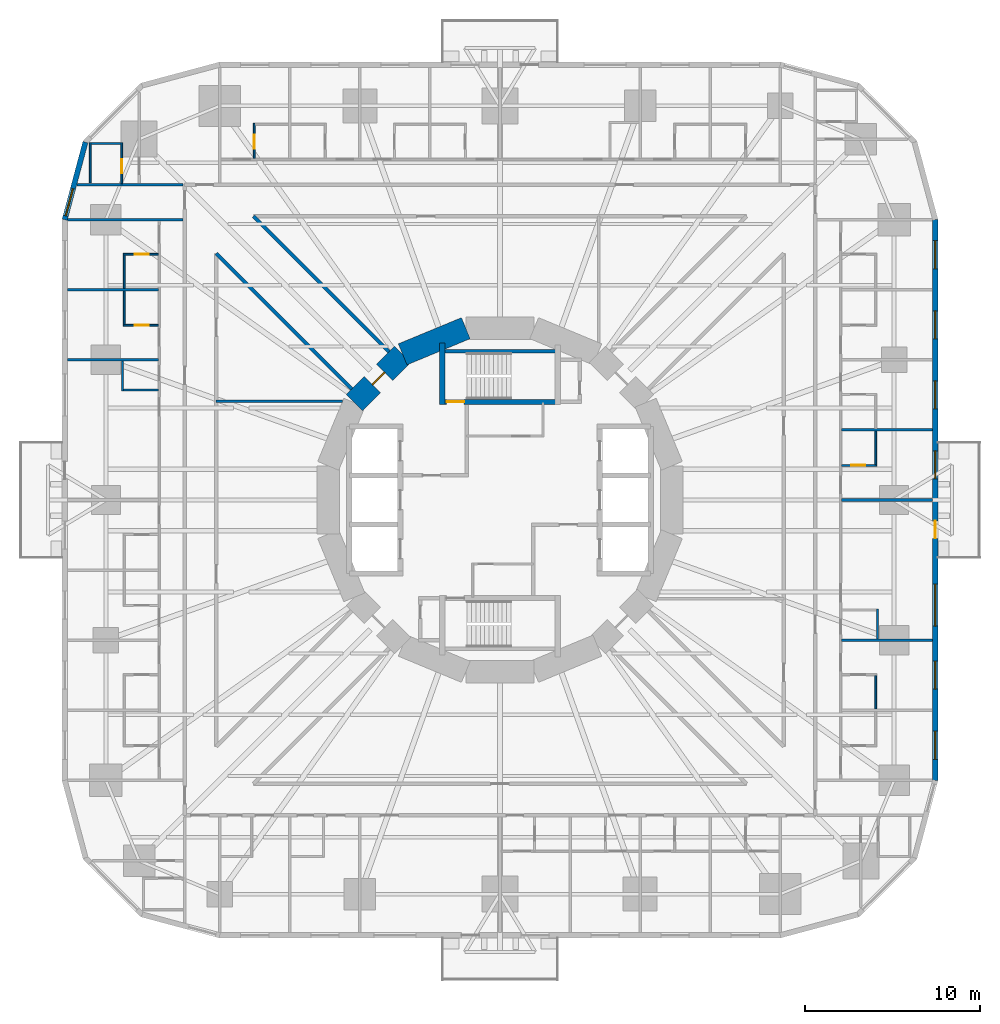
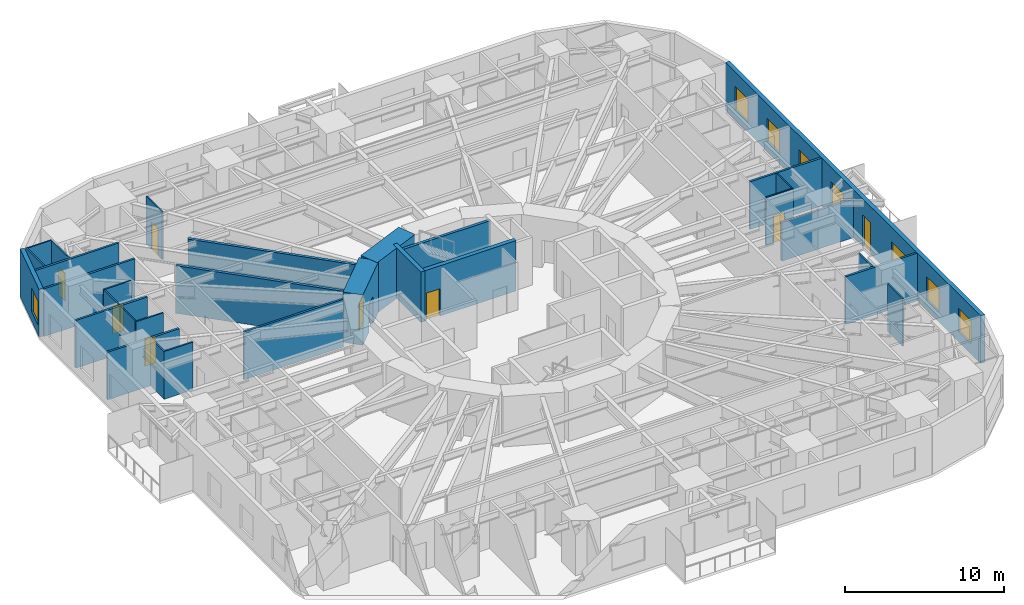
# One storey, part 9 of 14: 31 walls, 8 doors, 8 windows, 16 openings.
"""IFC4 building model written with IfcOpenShell, lengths in metres."""

from ifc_helpers import new_model, si_unit, direction, frame, frame_2d, origin, place, context, subcontext, project, spatial, rectangle, extrude, material, layer, layer_set, type_object, element, fill, save


model = new_model("IFC4")

# Units and contexts
model_context = context("Model", 3, precision=1e-05, world=origin(), true_north=direction((0.0, 1.0)))
body_context = subcontext(model_context, "Body", "Model", "MODEL_VIEW")
ifc_project = project(units=[si_unit("LENGTHUNIT", "METRE"), si_unit("AREAUNIT", "SQUARE_METRE"), si_unit("VOLUMEUNIT", "CUBIC_METRE"), si_unit("PLANEANGLEUNIT", "RADIAN"), si_unit("MASSUNIT", "GRAM", prefix="KILO")], contexts=[model_context])

# Site, building, storey
site_placement = place(None, origin())
site = spatial("IfcSite", under=ifc_project, at=site_placement, CompositionType="ELEMENT")
building_placement = place(site_placement, origin())
building = spatial("IfcBuilding", under=site, at=building_placement, Name="Nakasero Lantern House", CompositionType="ELEMENT")
storey_placement = place(building_placement, frame((0.0, 0.0, 31.39990234375)))
storey = spatial("IfcBuildingStorey", under=building, at=storey_placement, Name="L07", CompositionType="ELEMENT", Elevation=31.39990234375)

# Wall, opening, door
ifc_material_1 = material(Name="Concrete C50/60", Category="concrete")
ifc_layer_1 = layer(ifc_material_1, 0.300048828125)
ifc_layer_set_1 = layer_set([ifc_layer_1], Name="Core inner wall 300")
wall_type_1 = type_object("IfcWallType", Name="Core inner wall 300", PredefinedType="SHEAR", material=ifc_layer_set_1)
wall_1_placement = place(storey_placement, frame((-3.449951171875, 5.60009765625, 0.0), z_axis=(0.0, 0.0, 1.0), x_axis=(1.0, 0.0, 0.0)))
wall_1 = element("IfcWall", 1, at=wall_1_placement, inside=storey, type_object=wall_type_1, Name="Core inner wall L07 SN", PredefinedType="SHEAR", context=body_context, shape_type="SweptSolid", body=[
    extrude(rectangle(XDim=6.89990234375, YDim=0.300048828125, at=frame_2d((3.449951171875, 0.0))), origin(), (0.0, 0.0, 1.0), 3.85009765625),
])
opening_1_placement = place(wall_1_placement, frame((0.39990234375, 0.0, 0.0)))
opening_1 = element("IfcOpeningElement", 2, at=opening_1_placement, cuts=wall_1, Name="Opening D05", PredefinedType="OPENING", context=body_context, shape_type="SweptSolid", body=[
    extrude(rectangle(XDim=1.0, YDim=2.10009765625, at=frame_2d((0.5, 1.050048828125))), frame((0.0, 0.169921875, 0.0), z_axis=(0.0, -1.0, 0.0), x_axis=(1.0, 0.0, 0.0)), (0.0, 0.0, 1.0), 0.340087890625),
])
ifc_material_2 = material(Name="Timber C24", Category="wood")
door_type_1 = type_object("IfcDoorType", Name="Core door FD60S 1000", OperationType="SINGLE_SWING_LEFT", PredefinedType="DOOR", material=ifc_material_2)
door_1_placement = place(opening_1_placement, origin())
door_1 = element("IfcDoor", 3, at=door_1_placement, inside=storey, type_object=door_type_1, Name="Door L07 D-ST1", OperationType="SINGLE_SWING_LEFT", OverallHeight=2.10009765625, OverallWidth=1.0, PredefinedType="DOOR", context=body_context, shape_type="SweptSolid", body=[
    extrude(rectangle(XDim=1.0, YDim=2.10009765625, at=frame_2d((0.5, 1.050048828125))), frame((0.0, 0.02490234375, 0.0), z_axis=(0.0, -1.0, 0.0), x_axis=(1.0, 0.0, 0.0)), (0.0, 0.0, 1.0), 0.050048828125),
])
fill(opening_1, door_1)

# Walls
wall_2_placement = place(storey_placement, frame((-3.300048828125, 5.449951171875, 0.0), z_axis=(0.0, 0.0, 1.0), x_axis=(0.0, 1.0, 0.0)))
element("IfcWall", 4, at=wall_2_placement, inside=storey, type_object=wall_type_1, Name="Core inner wall L07 SNW", PredefinedType="SHEAR", context=body_context, shape_type="SweptSolid", body=[
    extrude(rectangle(XDim=3.5, YDim=0.300048828125, at=frame_2d((1.75, 0.0))), origin(), (0.0, 0.0, 1.0), 3.85009765625),
])
ifc_material_3 = material(Name="Concrete C50/60", Category="concrete")
ifc_layer_2 = layer(ifc_material_3, 1.300048828125)
ifc_layer_set_2 = layer_set([ifc_layer_2], Name="Core wall 1300")
wall_type_2 = type_object("IfcWallType", Name="Core wall 1300", PredefinedType="SHEAR", material=ifc_layer_set_2)
wall_3_placement = place(storey_placement, frame((-1.950927734375, 9.807861328125, 0.0), z_axis=(0.0, 0.0, 1.0), x_axis=(-0.923876507187, -0.382690736062, 0.0)))
element("IfcWall", 5, at=wall_3_placement, inside=storey, type_object=wall_type_2, Name="Core wall L07 facet 5", PredefinedType="SHEAR", context=body_context, shape_type="SweptSolid", body=[
    extrude(rectangle(XDim=3.90185546875, YDim=1.300048828125, at=frame_2d((1.950927734375, 0.0))), origin(), (0.0, 0.0, 1.0), 3.85009765625),
])

# Wall, opening, door
wall_4_placement = place(storey_placement, frame((-5.5556640625, 8.314697265625, 0.0), z_axis=(0.0, 0.0, 1.0), x_axis=(-0.707106781187, -0.707106781187, 0.0)))
wall_4 = element("IfcWall", 6, at=wall_4_placement, inside=storey, type_object=wall_type_2, Name="Core wall L07 facet 6", PredefinedType="SHEAR", context=body_context, shape_type="SweptSolid", body=[
    extrude(rectangle(XDim=3.90185546875, YDim=1.300048828125, at=frame_2d((1.950927734375, 0.0))), origin(), (0.0, 0.0, 1.0), 3.85009765625),
])
opening_2_placement = place(wall_4_placement, frame((1.450927734375, 0.0, 0.0)))
opening_2 = element("IfcOpeningElement", 7, at=opening_2_placement, cuts=wall_4, Name="Opening D05", PredefinedType="OPENING", context=body_context, shape_type="SweptSolid", body=[
    extrude(rectangle(XDim=1.0, YDim=2.10009765625, at=frame_2d((0.5, 1.050048828125))), frame((0.0, 0.669921875, 0.0), z_axis=(0.0, -1.0, 0.0), x_axis=(1.0, 0.0, 0.0)), (0.0, 0.0, 1.0), 1.340087890625),
])
door_2_placement = place(opening_2_placement, origin())
door_2 = element("IfcDoor", 8, at=door_2_placement, inside=storey, type_object=door_type_1, Name="Door L07 D-CORE06", OperationType="SINGLE_SWING_LEFT", OverallHeight=2.10009765625, OverallWidth=1.0, PredefinedType="DOOR", context=body_context, shape_type="SweptSolid", body=[
    extrude(rectangle(XDim=1.0, YDim=2.10009765625, at=frame_2d((0.5, 1.050048828125))), frame((0.0, 0.02490234375, 0.0), z_axis=(0.0, -1.0, 0.0), x_axis=(1.0, 0.0, 0.0)), (0.0, 0.0, 1.0), 0.050048828125),
])
fill(opening_2, door_2)

# Walls
ifc_material_4 = material(Name="Blockwork", Category="masonry")
ifc_layer_3 = layer(ifc_material_4, 0.199951171875)
ifc_layer_set_3 = layer_set([ifc_layer_3], Name="Corridor wall 200")
wall_type_3 = type_object("IfcWallType", Name="Corridor wall 200", PredefinedType="PARTITIONING", material=ifc_layer_set_3)
for number, where, z_axis, x_axis, name in (
    (9, (-8.45556640625, 6.334228515625, 0.0), (0.0, 0.0, 1.0), (-0.707106781187, 0.707106781187, 0.0), "Corridor wall L07 PS06a"),
    (10, (-6.334228515625, 8.45556640625, 0.0), (0.0, 0.0, 1.0), (-0.707106781187, 0.707106781187, 0.0), "Corridor wall L07 PS06b"),
):
    element("IfcWall", number, at=place(storey_placement, frame(where, z_axis=z_axis, x_axis=x_axis)), inside=storey, type_object=wall_type_3, Name=name, PredefinedType="PARTITIONING", context=body_context, shape_type="SweptSolid", body=[
        extrude(rectangle(XDim=10.9521484375, YDim=0.199951171875, at=frame_2d((5.47607421875, 0.0))), origin(), (0.0, 0.0, 1.0), 3.650146484375),
    ])
ifc_material_5 = material(Name="Blockwork", Category="masonry")
ifc_layer_4 = layer(ifc_material_5, 0.10009765625)
ifc_layer_set_4 = layer_set([ifc_layer_4], Name="En-suite wall 100")
wall_type_4 = type_object("IfcWallType", Name="En-suite wall 100", PredefinedType="PARTITIONING", material=ifc_layer_set_4)
wall_5_placement = place(storey_placement, frame((21.550048828125, -7.925048828125, 0.0), z_axis=(0.0, 0.0, 1.0), x_axis=(0.0, 1.0, 0.0)))
element("IfcWall", 11, at=wall_5_placement, inside=storey, type_object=wall_type_4, Name="En-suite wall L07 SE0-0", PredefinedType="PARTITIONING", context=body_context, shape_type="SweptSolid", body=[
    extrude(rectangle(XDim=1.699951171875, YDim=0.10009765625, at=frame_2d((0.85009765625, 0.0))), origin(), (0.0, 0.0, 1.0), 3.650146484375),
])
wall_6_placement = place(storey_placement, frame((21.449951171875, -11.925048828125, 0.0), z_axis=(0.0, 0.0, 1.0), x_axis=(0.0, 1.0, 0.0)))
element("IfcWall", 12, at=wall_6_placement, inside=storey, type_object=wall_type_4, Name="En-suite wall L07 EE0-02", PredefinedType="PARTITIONING", context=body_context, shape_type="SweptSolid", body=[
    extrude(rectangle(XDim=1.900146484375, YDim=0.10009765625, at=frame_2d((0.9501953125, 0.0))), origin(), (0.0, 0.0, 1.0), 3.650146484375),
])

# Wall, opening, door
wall_7_placement = place(storey_placement, frame((19.5, 1.97509765625, 0.0), z_axis=(0.0, 0.0, 1.0), x_axis=(1.0, 0.0, 0.0)))
wall_7 = element("IfcWall", 13, at=wall_7_placement, inside=storey, type_object=wall_type_4, Name="En-suite wall L07 ES0-05", PredefinedType="PARTITIONING", context=body_context, shape_type="SweptSolid", body=[
    extrude(rectangle(XDim=2.0, YDim=0.10009765625, at=frame_2d((1.0, 0.0))), origin(), (0.0, 0.0, 1.0), 3.650146484375),
])
opening_3_placement = place(wall_7_placement, frame((0.550048828125, 0.0, 0.0)))
opening_3 = element("IfcOpeningElement", 14, at=opening_3_placement, cuts=wall_7, Name="Opening D02", PredefinedType="OPENING", context=body_context, shape_type="SweptSolid", body=[
    extrude(rectangle(XDim=0.800048828125, YDim=2.10009765625, at=frame_2d((0.39990234375, 1.050048828125))), frame((0.0, 0.070068359375, 0.0), z_axis=(0.0, -1.0, 0.0), x_axis=(1.0, 0.0, 0.0)), (0.0, 0.0, 1.0), 0.14013671875),
])
ifc_material_6 = material(Name="Timber C24", Category="wood")
door_type_2 = type_object("IfcDoorType", Name="En-suite door 800", OperationType="SINGLE_SWING_RIGHT", PredefinedType="DOOR", material=ifc_material_6)
door_3_placement = place(opening_3_placement, origin())
door_3 = element("IfcDoor", 15, at=door_3_placement, inside=storey, type_object=door_type_2, Name="Door L07 DE0-05", OperationType="SINGLE_SWING_LEFT", OverallHeight=2.10009765625, OverallWidth=0.800048828125, PredefinedType="DOOR", context=body_context, shape_type="SweptSolid", body=[
    extrude(rectangle(XDim=0.800048828125, YDim=2.10009765625, at=frame_2d((0.39990234375, 1.050048828125))), frame((0.0, 0.02490234375, 0.0), z_axis=(0.0, -1.0, 0.0), x_axis=(1.0, 0.0, 0.0)), (0.0, 0.0, 1.0), 0.050048828125),
])
fill(opening_3, door_3)

# Wall
wall_8_placement = place(storey_placement, frame((21.449951171875, 2.02490234375, 0.0), z_axis=(0.0, 0.0, 1.0), x_axis=(0.0, 1.0, 0.0)))
element("IfcWall", 16, at=wall_8_placement, inside=storey, type_object=wall_type_4, Name="En-suite wall L07 EE0-05", PredefinedType="PARTITIONING", context=body_context, shape_type="SweptSolid", body=[
    extrude(rectangle(XDim=1.900146484375, YDim=0.10009765625, at=frame_2d((0.9501953125, 0.0))), origin(), (0.0, 0.0, 1.0), 3.650146484375),
])

# Wall, opening, door
wall_9_placement = place(storey_placement, frame((-14.02490234375, 19.5, 0.0), z_axis=(0.0, 0.0, 1.0), x_axis=(0.0, 1.0, 0.0)))
wall_9 = element("IfcWall", 17, at=wall_9_placement, inside=storey, type_object=wall_type_4, Name="En-suite wall L07 ES1-08", PredefinedType="PARTITIONING", context=body_context, shape_type="SweptSolid", body=[
    extrude(rectangle(XDim=2.0, YDim=0.10009765625, at=frame_2d((1.0, 0.0))), origin(), (0.0, 0.0, 1.0), 3.650146484375),
])
opening_4_placement = place(wall_9_placement, frame((0.550048828125, 0.0, 0.0)))
opening_4 = element("IfcOpeningElement", 18, at=opening_4_placement, cuts=wall_9, Name="Opening D02", PredefinedType="OPENING", context=body_context, shape_type="SweptSolid", body=[
    extrude(rectangle(XDim=0.800048828125, YDim=2.10009765625, at=frame_2d((0.39990234375, 1.050048828125))), frame((0.0, 0.070068359375, 0.0), z_axis=(0.0, -1.0, 0.0), x_axis=(1.0, 0.0, 0.0)), (0.0, 0.0, 1.0), 0.14013671875),
])
door_4_placement = place(opening_4_placement, origin())
door_4 = element("IfcDoor", 19, at=door_4_placement, inside=storey, type_object=door_type_2, Name="Door L07 DE1-08", OperationType="SINGLE_SWING_LEFT", OverallHeight=2.10009765625, OverallWidth=0.800048828125, PredefinedType="DOOR", context=body_context, shape_type="SweptSolid", body=[
    extrude(rectangle(XDim=0.800048828125, YDim=2.10009765625, at=frame_2d((0.39990234375, 1.050048828125))), frame((0.0, 0.02490234375, 0.0), z_axis=(0.0, -1.0, 0.0), x_axis=(1.0, 0.0, 0.0)), (0.0, 0.0, 1.0), 0.050048828125),
])
fill(opening_4, door_4)

wall_10_placement = place(storey_placement, frame((-21.59619140625, 18.06494140625, 0.0), z_axis=(0.0, 0.0, 1.0), x_axis=(0.0, 1.0, 0.0)))
wall_10 = element("IfcWall", 20, at=wall_10_placement, inside=storey, type_object=wall_type_4, Name="En-suite wall L07 ES1-09", PredefinedType="PARTITIONING", context=body_context, shape_type="SweptSolid", body=[
    extrude(rectangle(XDim=2.3349609375, YDim=0.10009765625, at=frame_2d((1.16748046875, 0.0))), origin(), (0.0, 0.0, 1.0), 3.650146484375),
])
opening_5_placement = place(wall_10_placement, frame((0.5849609375, 0.0, 0.0)))
opening_5 = element("IfcOpeningElement", 21, at=opening_5_placement, cuts=wall_10, Name="Opening D02", PredefinedType="OPENING", context=body_context, shape_type="SweptSolid", body=[
    extrude(rectangle(XDim=0.800048828125, YDim=2.10009765625, at=frame_2d((0.39990234375, 1.050048828125))), frame((0.0, 0.070068359375, 0.0), z_axis=(0.0, -1.0, 0.0), x_axis=(1.0, 0.0, 0.0)), (0.0, 0.0, 1.0), 0.14013671875),
])
door_5_placement = place(opening_5_placement, origin())
door_5 = element("IfcDoor", 22, at=door_5_placement, inside=storey, type_object=door_type_2, Name="Door L07 DE1-09", OperationType="SINGLE_SWING_LEFT", OverallHeight=2.10009765625, OverallWidth=0.800048828125, PredefinedType="DOOR", context=body_context, shape_type="SweptSolid", body=[
    extrude(rectangle(XDim=0.800048828125, YDim=2.10009765625, at=frame_2d((0.39990234375, 1.050048828125))), frame((0.0, 0.02490234375, 0.0), z_axis=(0.0, -1.0, 0.0), x_axis=(1.0, 0.0, 0.0)), (0.0, 0.0, 1.0), 0.050048828125),
])
fill(opening_5, door_5)

# Walls
wall_11_placement = place(storey_placement, frame((-21.646240234375, 20.35009765625, 0.0), z_axis=(0.0, 0.0, 1.0), x_axis=(-1.0, 0.0, 0.0)))
element("IfcWall", 23, at=wall_11_placement, inside=storey, type_object=wall_type_4, Name="En-suite wall L07 EE1-09", PredefinedType="PARTITIONING", context=body_context, shape_type="SweptSolid", body=[
    extrude(rectangle(XDim=1.699951171875, YDim=0.10009765625, at=frame_2d((0.85009765625, 0.0))), origin(), (0.0, 0.0, 1.0), 3.650146484375),
])
wall_12_placement = place(storey_placement, frame((-23.396240234375, 18.10009765625, 0.0), z_axis=(0.0, 0.0, 1.0), x_axis=(0.0, 1.0, 0.0)))
element("IfcWall", 24, at=wall_12_placement, inside=storey, type_object=wall_type_4, Name="En-suite wall L07 EV1-09", PredefinedType="PARTITIONING", context=body_context, shape_type="SweptSolid", body=[
    extrude(rectangle(XDim=2.2998046875, YDim=0.10009765625, at=frame_2d((1.14990234375, 0.0))), origin(), (0.0, 0.0, 1.0), 3.650146484375),
])
wall_13_placement = place(storey_placement, frame((-19.5, 6.27490234375, 0.0), z_axis=(0.0, 0.0, 1.0), x_axis=(-1.0, 0.0, 0.0)))
element("IfcWall", 25, at=wall_13_placement, inside=storey, type_object=wall_type_4, Name="En-suite wall L07 SS2-0", PredefinedType="PARTITIONING", context=body_context, shape_type="SweptSolid", body=[
    extrude(rectangle(XDim=2.10009765625, YDim=0.10009765625, at=frame_2d((1.050048828125, 0.0))), origin(), (0.0, 0.0, 1.0), 3.650146484375),
])
wall_14_placement = place(storey_placement, frame((-21.550048828125, 7.925048828125, 0.0), z_axis=(0.0, 0.0, 1.0), x_axis=(0.0, -1.0, 0.0)))
element("IfcWall", 26, at=wall_14_placement, inside=storey, type_object=wall_type_4, Name="En-suite wall L07 SE2-0", PredefinedType="PARTITIONING", context=body_context, shape_type="SweptSolid", body=[
    extrude(rectangle(XDim=1.699951171875, YDim=0.10009765625, at=frame_2d((0.85009765625, 0.0))), origin(), (0.0, 0.0, 1.0), 3.650146484375),
])

# Wall, opening, door
wall_15_placement = place(storey_placement, frame((-19.5, 14.02490234375, 0.0), z_axis=(0.0, 0.0, 1.0), x_axis=(-1.0, 0.0, 0.0)))
wall_15 = element("IfcWall", 27, at=wall_15_placement, inside=storey, type_object=wall_type_4, Name="En-suite wall L07 ES2-01", PredefinedType="PARTITIONING", context=body_context, shape_type="SweptSolid", body=[
    extrude(rectangle(XDim=2.0, YDim=0.10009765625, at=frame_2d((1.0, 0.0))), origin(), (0.0, 0.0, 1.0), 3.650146484375),
])
opening_6_placement = place(wall_15_placement, frame((0.550048828125, 0.0, 0.0)))
opening_6 = element("IfcOpeningElement", 28, at=opening_6_placement, cuts=wall_15, Name="Opening D02", PredefinedType="OPENING", context=body_context, shape_type="SweptSolid", body=[
    extrude(rectangle(XDim=0.800048828125, YDim=2.10009765625, at=frame_2d((0.39990234375, 1.050048828125))), frame((0.0, 0.070068359375, 0.0), z_axis=(0.0, -1.0, 0.0), x_axis=(1.0, 0.0, 0.0)), (0.0, 0.0, 1.0), 0.14013671875),
])
door_6_placement = place(opening_6_placement, origin())
door_6 = element("IfcDoor", 29, at=door_6_placement, inside=storey, type_object=door_type_2, Name="Door L07 DE2-01", OperationType="SINGLE_SWING_LEFT", OverallHeight=2.10009765625, OverallWidth=0.800048828125, PredefinedType="DOOR", context=body_context, shape_type="SweptSolid", body=[
    extrude(rectangle(XDim=0.800048828125, YDim=2.10009765625, at=frame_2d((0.39990234375, 1.050048828125))), frame((0.0, 0.02490234375, 0.0), z_axis=(0.0, -1.0, 0.0), x_axis=(1.0, 0.0, 0.0)), (0.0, 0.0, 1.0), 0.050048828125),
])
fill(opening_6, door_6)

# Wall
wall_16_placement = place(storey_placement, frame((-21.449951171875, 13.97509765625, 0.0), z_axis=(0.0, 0.0, 1.0), x_axis=(0.0, -1.0, 0.0)))
element("IfcWall", 30, at=wall_16_placement, inside=storey, type_object=wall_type_4, Name="En-suite wall L07 EE2-01", PredefinedType="PARTITIONING", context=body_context, shape_type="SweptSolid", body=[
    extrude(rectangle(XDim=1.900146484375, YDim=0.10009765625, at=frame_2d((0.9501953125, 0.0))), origin(), (0.0, 0.0, 1.0), 3.650146484375),
])

# Wall, opening, door
wall_17_placement = place(storey_placement, frame((-19.5, 9.97509765625, 0.0), z_axis=(0.0, 0.0, 1.0), x_axis=(-1.0, 0.0, 0.0)))
wall_17 = element("IfcWall", 31, at=wall_17_placement, inside=storey, type_object=wall_type_4, Name="En-suite wall L07 ES2-02", PredefinedType="PARTITIONING", context=body_context, shape_type="SweptSolid", body=[
    extrude(rectangle(XDim=2.0, YDim=0.10009765625, at=frame_2d((1.0, 0.0))), origin(), (0.0, 0.0, 1.0), 3.650146484375),
])
opening_7_placement = place(wall_17_placement, frame((0.550048828125, 0.0, 0.0)))
opening_7 = element("IfcOpeningElement", 32, at=opening_7_placement, cuts=wall_17, Name="Opening D02", PredefinedType="OPENING", context=body_context, shape_type="SweptSolid", body=[
    extrude(rectangle(XDim=0.800048828125, YDim=2.10009765625, at=frame_2d((0.39990234375, 1.050048828125))), frame((0.0, 0.070068359375, 0.0), z_axis=(0.0, -1.0, 0.0), x_axis=(1.0, 0.0, 0.0)), (0.0, 0.0, 1.0), 0.14013671875),
])
door_7_placement = place(opening_7_placement, origin())
door_7 = element("IfcDoor", 33, at=door_7_placement, inside=storey, type_object=door_type_2, Name="Door L07 DE2-02", OperationType="SINGLE_SWING_LEFT", OverallHeight=2.10009765625, OverallWidth=0.800048828125, PredefinedType="DOOR", context=body_context, shape_type="SweptSolid", body=[
    extrude(rectangle(XDim=0.800048828125, YDim=2.10009765625, at=frame_2d((0.39990234375, 1.050048828125))), frame((0.0, 0.02490234375, 0.0), z_axis=(0.0, -1.0, 0.0), x_axis=(1.0, 0.0, 0.0)), (0.0, 0.0, 1.0), 0.050048828125),
])
fill(opening_7, door_7)

# Wall
wall_18_placement = place(storey_placement, frame((-21.449951171875, 11.925048828125, 0.0), z_axis=(0.0, 0.0, 1.0), x_axis=(0.0, -1.0, 0.0)))
element("IfcWall", 34, at=wall_18_placement, inside=storey, type_object=wall_type_4, Name="En-suite wall L07 EE2-02", PredefinedType="PARTITIONING", context=body_context, shape_type="SweptSolid", body=[
    extrude(rectangle(XDim=1.900146484375, YDim=0.10009765625, at=frame_2d((0.9501953125, 0.0))), origin(), (0.0, 0.0, 1.0), 3.650146484375),
])

# Wall, openings, door, windows
ifc_material_7 = material(Name="Aluminium rainscreen on blockwork", Category="masonry")
ifc_layer_5 = layer(ifc_material_7, 0.300048828125)
ifc_layer_set_5 = layer_set([ifc_layer_5], Name="Facade wall 300")
wall_type_5 = type_object("IfcWallType", Name="Facade wall 300", PredefinedType="SOLIDWALL", material=ifc_layer_set_5)
wall_19_placement = place(storey_placement, frame((24.85009765625, -16.0, 0.0), z_axis=(0.0, 0.0, 1.0), x_axis=(0.0, 1.0, 0.0)))
wall_19 = element("IfcWall", 35, at=wall_19_placement, inside=storey, type_object=wall_type_5, Name="Facade wall L07 FW0S", PredefinedType="SOLIDWALL", context=body_context, shape_type="SweptSolid", body=[
    extrude(rectangle(XDim=32.0, YDim=0.300048828125, at=frame_2d((16.0, 0.0))), origin(), (0.0, 0.0, 1.0), 3.650146484375),
])
opening_8_placement = place(wall_19_placement, frame((1.199951171875, 0.0, 0.75)))
opening_8 = element("IfcOpeningElement", 36, at=opening_8_placement, cuts=wall_19, Name="Opening W01", PredefinedType="OPENING", context=body_context, shape_type="SweptSolid", body=[
    extrude(rectangle(XDim=1.60009765625, YDim=1.800048828125, at=frame_2d((0.800048828125, 0.89990234375))), frame((0.0, 0.169921875, 0.0), z_axis=(0.0, -1.0, 0.0), x_axis=(1.0, 0.0, 0.0)), (0.0, 0.0, 1.0), 0.340087890625),
])
opening_9_placement = place(wall_19_placement, frame((5.199951171875, 0.0, 0.75)))
opening_9 = element("IfcOpeningElement", 37, at=opening_9_placement, cuts=wall_19, Name="Opening W01", PredefinedType="OPENING", context=body_context, shape_type="SweptSolid", body=[
    extrude(rectangle(XDim=1.60009765625, YDim=1.800048828125, at=frame_2d((0.800048828125, 0.89990234375))), frame((0.0, 0.169921875, 0.0), z_axis=(0.0, -1.0, 0.0), x_axis=(1.0, 0.0, 0.0)), (0.0, 0.0, 1.0), 0.340087890625),
])
opening_10_placement = place(wall_19_placement, frame((17.199951171875, 0.0, 0.75)))
opening_10 = element("IfcOpeningElement", 38, at=opening_10_placement, cuts=wall_19, Name="Opening W01", PredefinedType="OPENING", context=body_context, shape_type="SweptSolid", body=[
    extrude(rectangle(XDim=1.60009765625, YDim=1.800048828125, at=frame_2d((0.800048828125, 0.89990234375))), frame((0.0, 0.169921875, 0.0), z_axis=(0.0, -1.0, 0.0), x_axis=(1.0, 0.0, 0.0)), (0.0, 0.0, 1.0), 0.340087890625),
])
opening_11_placement = place(wall_19_placement, frame((21.199951171875, 0.0, 0.75)))
opening_11 = element("IfcOpeningElement", 39, at=opening_11_placement, cuts=wall_19, Name="Opening W01", PredefinedType="OPENING", context=body_context, shape_type="SweptSolid", body=[
    extrude(rectangle(XDim=1.60009765625, YDim=1.800048828125, at=frame_2d((0.800048828125, 0.89990234375))), frame((0.0, 0.169921875, 0.0), z_axis=(0.0, -1.0, 0.0), x_axis=(1.0, 0.0, 0.0)), (0.0, 0.0, 1.0), 0.340087890625),
])
opening_12_placement = place(wall_19_placement, frame((25.199951171875, 0.0, 0.75)))
opening_12 = element("IfcOpeningElement", 40, at=opening_12_placement, cuts=wall_19, Name="Opening W01", PredefinedType="OPENING", context=body_context, shape_type="SweptSolid", body=[
    extrude(rectangle(XDim=1.60009765625, YDim=1.800048828125, at=frame_2d((0.800048828125, 0.89990234375))), frame((0.0, 0.169921875, 0.0), z_axis=(0.0, -1.0, 0.0), x_axis=(1.0, 0.0, 0.0)), (0.0, 0.0, 1.0), 0.340087890625),
])
opening_13_placement = place(wall_19_placement, frame((29.199951171875, 0.0, 0.75)))
opening_13 = element("IfcOpeningElement", 41, at=opening_13_placement, cuts=wall_19, Name="Opening W01", PredefinedType="OPENING", context=body_context, shape_type="SweptSolid", body=[
    extrude(rectangle(XDim=1.60009765625, YDim=1.800048828125, at=frame_2d((0.800048828125, 0.89990234375))), frame((0.0, 0.169921875, 0.0), z_axis=(0.0, -1.0, 0.0), x_axis=(1.0, 0.0, 0.0)), (0.0, 0.0, 1.0), 0.340087890625),
])
opening_14_placement = place(wall_19_placement, frame((8.800048828125, 0.0, 0.75)))
opening_14 = element("IfcOpeningElement", 42, at=opening_14_placement, cuts=wall_19, Name="Opening W03", PredefinedType="OPENING", context=body_context, shape_type="SweptSolid", body=[
    extrude(rectangle(XDim=2.39990234375, YDim=1.800048828125, at=frame_2d((1.199951171875, 0.89990234375))), frame((0.0, 0.169921875, 0.0), z_axis=(0.0, -1.0, 0.0), x_axis=(1.0, 0.0, 0.0)), (0.0, 0.0, 1.0), 0.340087890625),
])
opening_15_placement = place(wall_19_placement, frame((13.8125, 0.0, 0.0)))
opening_15 = element("IfcOpeningElement", 43, at=opening_15_placement, cuts=wall_19, Name="Opening D04", PredefinedType="OPENING", context=body_context, shape_type="SweptSolid", body=[
    extrude(rectangle(XDim=1.0, YDim=2.39990234375, at=frame_2d((0.5, 1.199951171875))), frame((0.0, 0.169921875, 0.0), z_axis=(0.0, -1.0, 0.0), x_axis=(1.0, 0.0, 0.0)), (0.0, 0.0, 1.0), 0.340087890625),
])
ifc_material_8 = material(Name="Aluminium 6063-T6 and glass", Category="aluminium")
door_type_3 = type_object("IfcDoorType", Name="Balcony door 1000x2400", OperationType="SINGLE_SWING_RIGHT", PredefinedType="DOOR", material=ifc_material_8)
door_8_placement = place(opening_15_placement, origin())
door_8 = element("IfcDoor", 44, at=door_8_placement, inside=storey, type_object=door_type_3, Name="Balcony door L07 DB0", OperationType="SINGLE_SWING_RIGHT", OverallHeight=2.39990234375, OverallWidth=1.0, PredefinedType="DOOR", context=body_context, shape_type="SweptSolid", body=[
    extrude(rectangle(XDim=1.0, YDim=2.39990234375, at=frame_2d((0.5, 1.199951171875))), frame((0.0, 0.02490234375, 0.0), z_axis=(0.0, -1.0, 0.0), x_axis=(1.0, 0.0, 0.0)), (0.0, 0.0, 1.0), 0.050048828125),
])
fill(opening_15, door_8)
ifc_material_9 = material(Name="Aluminium 6063-T6 and glass", Category="aluminium")
window_type_1 = type_object("IfcWindowType", Name="Bedroom window 1600x1800", PartitioningType="SINGLE_PANEL", PredefinedType="WINDOW", material=ifc_material_9)
window_1_placement = place(opening_8_placement, origin())
window_1 = element("IfcWindow", 45, at=window_1_placement, inside=storey, type_object=window_type_1, Name="Window L07 WN0-01", OverallHeight=1.800048828125, OverallWidth=1.60009765625, PartitioningType="SINGLE_PANEL", PredefinedType="WINDOW", context=body_context, shape_type="SweptSolid", body=[
    extrude(rectangle(XDim=1.60009765625, YDim=1.800048828125, at=frame_2d((0.800048828125, 0.89990234375))), frame((0.0, 0.030029296875, 0.0), z_axis=(0.0, -1.0, 0.0), x_axis=(1.0, 0.0, 0.0)), (0.0, 0.0, 1.0), 0.06005859375),
])
fill(opening_8, window_1)
window_2_placement = place(opening_9_placement, origin())
window_2 = element("IfcWindow", 46, at=window_2_placement, inside=storey, type_object=window_type_1, Name="Window L07 WN0-02", OverallHeight=1.800048828125, OverallWidth=1.60009765625, PartitioningType="SINGLE_PANEL", PredefinedType="WINDOW", context=body_context, shape_type="SweptSolid", body=[
    extrude(rectangle(XDim=1.60009765625, YDim=1.800048828125, at=frame_2d((0.800048828125, 0.89990234375))), frame((0.0, 0.030029296875, 0.0), z_axis=(0.0, -1.0, 0.0), x_axis=(1.0, 0.0, 0.0)), (0.0, 0.0, 1.0), 0.06005859375),
])
fill(opening_9, window_2)
window_3_placement = place(opening_10_placement, origin())
window_3 = element("IfcWindow", 47, at=window_3_placement, inside=storey, type_object=window_type_1, Name="Window L07 WN0-05", OverallHeight=1.800048828125, OverallWidth=1.60009765625, PartitioningType="SINGLE_PANEL", PredefinedType="WINDOW", context=body_context, shape_type="SweptSolid", body=[
    extrude(rectangle(XDim=1.60009765625, YDim=1.800048828125, at=frame_2d((0.800048828125, 0.89990234375))), frame((0.0, 0.030029296875, 0.0), z_axis=(0.0, -1.0, 0.0), x_axis=(1.0, 0.0, 0.0)), (0.0, 0.0, 1.0), 0.06005859375),
])
fill(opening_10, window_3)
window_4_placement = place(opening_11_placement, origin())
window_4 = element("IfcWindow", 48, at=window_4_placement, inside=storey, type_object=window_type_1, Name="Window L07 WN0-06", OverallHeight=1.800048828125, OverallWidth=1.60009765625, PartitioningType="SINGLE_PANEL", PredefinedType="WINDOW", context=body_context, shape_type="SweptSolid", body=[
    extrude(rectangle(XDim=1.60009765625, YDim=1.800048828125, at=frame_2d((0.800048828125, 0.89990234375))), frame((0.0, 0.030029296875, 0.0), z_axis=(0.0, -1.0, 0.0), x_axis=(1.0, 0.0, 0.0)), (0.0, 0.0, 1.0), 0.06005859375),
])
fill(opening_11, window_4)
window_5_placement = place(opening_12_placement, origin())
window_5 = element("IfcWindow", 49, at=window_5_placement, inside=storey, type_object=window_type_1, Name="Window L07 WN0-07", OverallHeight=1.800048828125, OverallWidth=1.60009765625, PartitioningType="SINGLE_PANEL", PredefinedType="WINDOW", context=body_context, shape_type="SweptSolid", body=[
    extrude(rectangle(XDim=1.60009765625, YDim=1.800048828125, at=frame_2d((0.800048828125, 0.89990234375))), frame((0.0, 0.030029296875, 0.0), z_axis=(0.0, -1.0, 0.0), x_axis=(1.0, 0.0, 0.0)), (0.0, 0.0, 1.0), 0.06005859375),
])
fill(opening_12, window_5)
window_6_placement = place(opening_13_placement, origin())
window_6 = element("IfcWindow", 50, at=window_6_placement, inside=storey, type_object=window_type_1, Name="Window L07 WN0-08", OverallHeight=1.800048828125, OverallWidth=1.60009765625, PartitioningType="SINGLE_PANEL", PredefinedType="WINDOW", context=body_context, shape_type="SweptSolid", body=[
    extrude(rectangle(XDim=1.60009765625, YDim=1.800048828125, at=frame_2d((0.800048828125, 0.89990234375))), frame((0.0, 0.030029296875, 0.0), z_axis=(0.0, -1.0, 0.0), x_axis=(1.0, 0.0, 0.0)), (0.0, 0.0, 1.0), 0.06005859375),
])
fill(opening_13, window_6)
ifc_material_10 = material(Name="Aluminium 6063-T6 and glass", Category="aluminium")
window_type_2 = type_object("IfcWindowType", Name="Lounge window 2400x1800", PartitioningType="SINGLE_PANEL", PredefinedType="WINDOW", material=ifc_material_10)
window_7_placement = place(opening_14_placement, origin())
window_7 = element("IfcWindow", 51, at=window_7_placement, inside=storey, type_object=window_type_2, Name="Window L07 WK0", OverallHeight=1.800048828125, OverallWidth=2.39990234375, PartitioningType="SINGLE_PANEL", PredefinedType="WINDOW", context=body_context, shape_type="SweptSolid", body=[
    extrude(rectangle(XDim=2.39990234375, YDim=1.800048828125, at=frame_2d((1.199951171875, 0.89990234375))), frame((0.0, 0.030029296875, 0.0), z_axis=(0.0, -1.0, 0.0), x_axis=(1.0, 0.0, 0.0)), (0.0, 0.0, 1.0), 0.06005859375),
])
fill(opening_14, window_7)

# Wall, opening, window
wall_20_placement = place(storey_placement, frame((-23.664306640625, 20.425048828125, 0.0), z_axis=(0.0, 0.0, 1.0), x_axis=(-0.258839972501, -0.965920218567, 0.0)))
wall_20 = element("IfcWall", 52, at=wall_20_placement, inside=storey, type_object=wall_type_5, Name="Facade wall L07 FW1C3", PredefinedType="SOLIDWALL", context=body_context, shape_type="SweptSolid", body=[
    extrude(rectangle(XDim=4.5810546875, YDim=0.300048828125, at=frame_2d((2.29052734375, 0.0))), origin(), (0.0, 0.0, 1.0), 3.650146484375),
])
opening_16_placement = place(wall_20_placement, frame((2.74609375, 0.0, 0.75)))
opening_16 = element("IfcOpeningElement", 53, at=opening_16_placement, cuts=wall_20, Name="Opening W01", PredefinedType="OPENING", context=body_context, shape_type="SweptSolid", body=[
    extrude(rectangle(XDim=1.60009765625, YDim=1.800048828125, at=frame_2d((0.800048828125, 0.89990234375))), frame((0.0, 0.169921875, 0.0), z_axis=(0.0, -1.0, 0.0), x_axis=(1.0, 0.0, 0.0)), (0.0, 0.0, 1.0), 0.340087890625),
])
window_8_placement = place(opening_16_placement, origin())
window_8 = element("IfcWindow", 54, at=window_8_placement, inside=storey, type_object=window_type_1, Name="Window L07 WN2-00", OverallHeight=1.800048828125, OverallWidth=1.60009765625, PartitioningType="SINGLE_PANEL", PredefinedType="WINDOW", context=body_context, shape_type="SweptSolid", body=[
    extrude(rectangle(XDim=1.60009765625, YDim=1.800048828125, at=frame_2d((0.800048828125, 0.89990234375))), frame((0.0, 0.030029296875, 0.0), z_axis=(0.0, -1.0, 0.0), x_axis=(1.0, 0.0, 0.0)), (0.0, 0.0, 1.0), 0.06005859375),
])
fill(opening_16, window_8)

# Walls
ifc_material_11 = material(Name="Blockwork", Category="masonry")
ifc_layer_6 = layer(ifc_material_11, 0.199951171875)
ifc_layer_set_6 = layer_set([ifc_layer_6], Name="Fire lobby wall 200")
wall_type_6 = type_object("IfcWallType", Name="Fire lobby wall 200", PredefinedType="PARTITIONING", material=ifc_layer_set_6)
wall_21_placement = place(storey_placement, frame((-3.300048828125, 8.5, 0.0), z_axis=(0.0, 0.0, 1.0), x_axis=(1.0, 0.0, 0.0)))
element("IfcWall", 55, at=wall_21_placement, inside=storey, type_object=wall_type_6, Name="Fire lobby wall L07 W-STN", PredefinedType="PARTITIONING", context=body_context, shape_type="SweptSolid", body=[
    extrude(rectangle(XDim=6.60009765625, YDim=0.199951171875, at=frame_2d((3.300048828125, 0.0))), origin(), (0.0, 0.0, 1.0), 3.650146484375),
])
ifc_material_12 = material(Name="Blockwork", Category="masonry")
ifc_layer_7 = layer(ifc_material_12, 0.14990234375)
ifc_layer_set_7 = layer_set([ifc_layer_7], Name="Party wall 150")
wall_type_7 = type_object("IfcWallType", Name="Party wall 150", PredefinedType="PARTITIONING", material=ifc_layer_set_7)
wall_22_placement = place(storey_placement, frame((19.5, -8.0, 0.0), z_axis=(0.0, 0.0, 1.0), x_axis=(1.0, 0.0, 0.0)))
element("IfcWall", 56, at=wall_22_placement, inside=storey, type_object=wall_type_7, Name="Party wall L07 PW0-03", PredefinedType="PARTITIONING", context=body_context, shape_type="SweptSolid", body=[
    extrude(rectangle(XDim=5.199951171875, YDim=0.14990234375, at=frame_2d((2.60009765625, 0.0))), origin(), (0.0, 0.0, 1.0), 3.650146484375),
])
wall_23_placement = place(storey_placement, frame((19.5, 0.0, 0.0), z_axis=(0.0, 0.0, 1.0), x_axis=(1.0, 0.0, 0.0)))
element("IfcWall", 57, at=wall_23_placement, inside=storey, type_object=wall_type_7, Name="Party wall L07 PW0-05", PredefinedType="PARTITIONING", context=body_context, shape_type="SweptSolid", body=[
    extrude(rectangle(XDim=5.199951171875, YDim=0.14990234375, at=frame_2d((2.60009765625, 0.0))), origin(), (0.0, 0.0, 1.0), 2.957275390625),
])
wall_24_placement = place(storey_placement, frame((19.5, 4.0, 0.0), z_axis=(0.0, 0.0, 1.0), x_axis=(1.0, 0.0, 0.0)))
element("IfcWall", 58, at=wall_24_placement, inside=storey, type_object=wall_type_7, Name="Party wall L07 PW0-06", PredefinedType="PARTITIONING", context=body_context, shape_type="SweptSolid", body=[
    extrude(rectangle(XDim=5.199951171875, YDim=0.14990234375, at=frame_2d((2.60009765625, 0.0))), origin(), (0.0, 0.0, 1.0), 3.650146484375),
])
wall_25_placement = place(storey_placement, frame((-18.10009765625, 18.0, 0.0), z_axis=(0.0, 0.0, 1.0), x_axis=(-1.0, 0.0, 0.0)))
element("IfcWall", 59, at=wall_25_placement, inside=storey, type_object=wall_type_7, Name="Party wall L07 PW2-00", PredefinedType="PARTITIONING", context=body_context, shape_type="SweptSolid", body=[
    extrude(rectangle(XDim=6.053466796875, YDim=0.14990234375, at=frame_2d((3.02685546875, 0.0))), origin(), (0.0, 0.0, 1.0), 3.650146484375),
])
wall_26_placement = place(storey_placement, frame((-18.10009765625, 16.0, 0.0), z_axis=(0.0, 0.0, 1.0), x_axis=(-1.0, 0.0, 0.0)))
element("IfcWall", 60, at=wall_26_placement, inside=storey, type_object=wall_type_7, Name="Party wall L07 PW2-01", PredefinedType="PARTITIONING", context=body_context, shape_type="SweptSolid", body=[
    extrude(rectangle(XDim=6.58935546875, YDim=0.14990234375, at=frame_2d((3.294677734375, 0.0))), origin(), (0.0, 0.0, 1.0), 3.650146484375),
])
for number, where, z_axis, x_axis, name in (
    (61, (-19.5, 12.0, 0.0), (0.0, 0.0, 1.0), (-1.0, 0.0, 0.0), "Party wall L07 PW2-02"),
    (62, (-19.5, 8.0, 0.0), (0.0, 0.0, 1.0), (-1.0, 0.0, 0.0), "Party wall L07 PW2-03"),
):
    element("IfcWall", number, at=place(storey_placement, frame(where, z_axis=z_axis, x_axis=x_axis)), inside=storey, type_object=wall_type_7, Name=name, PredefinedType="PARTITIONING", context=body_context, shape_type="SweptSolid", body=[
        extrude(rectangle(XDim=5.199951171875, YDim=0.14990234375, at=frame_2d((2.60009765625, 0.0))), origin(), (0.0, 0.0, 1.0), 3.650146484375),
    ])
wall_27_placement = place(storey_placement, frame((-8.98681640625, 5.631591796875, 0.0), z_axis=(0.0, 0.0, 1.0), x_axis=(-1.0, 0.0, 0.0)))
element("IfcWall", 63, at=wall_27_placement, inside=storey, type_object=wall_type_7, Name="Party wall L07 IS4", PredefinedType="PARTITIONING", context=body_context, shape_type="SweptSolid", body=[
    extrude(rectangle(XDim=7.213134765625, YDim=0.14990234375, at=frame_2d((3.6064453125, 0.0))), origin(), (0.0, 0.0, 1.0), 3.650146484375),
])

save(model, "model.ifc")
